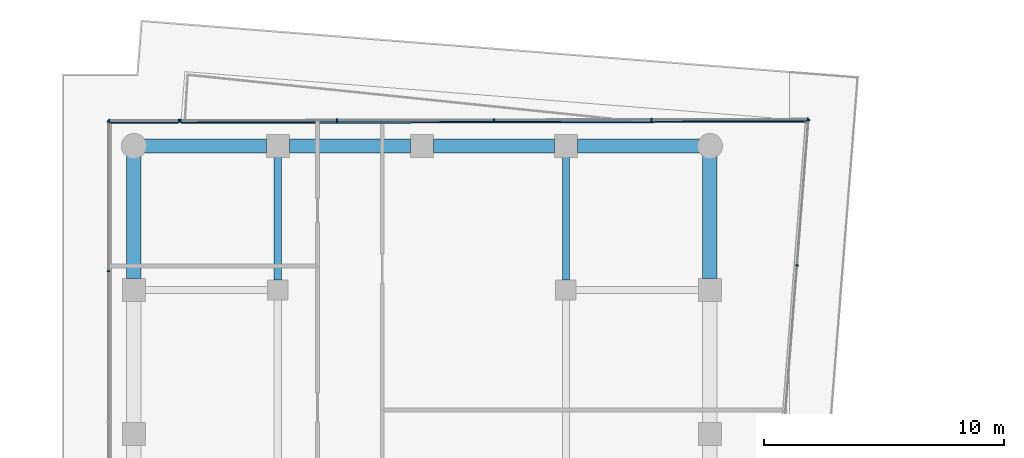
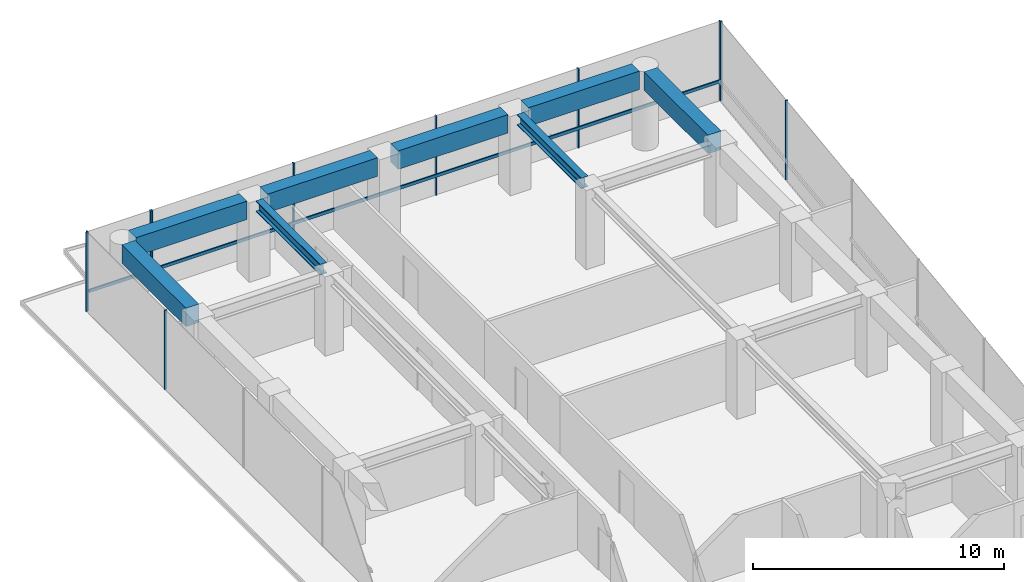
# One storey, part 21 of 29: 13 members, 8 beams, 4 elements without a shape of their own.
"""IFC4 building model written with IfcOpenShell, lengths in metres."""

from ifc_helpers import new_model, si_unit, direction, frame, origin, origin_2d, place, context, subcontext, project, spatial, rectangle, i_section, extrude, material, layer, layer_set, material_profile, profile_set, type_object, element, aggregate, save


model = new_model("IFC4")

# Units and contexts
model_context = context("Model", 3, precision=1e-05, world=origin(), true_north=direction((0.0, 1.0)))
body_context = subcontext(model_context, "Body", "Model", "MODEL_VIEW")
ifc_project = project(units=[si_unit("LENGTHUNIT", "METRE"), si_unit("AREAUNIT", "SQUARE_METRE"), si_unit("VOLUMEUNIT", "CUBIC_METRE"), si_unit("PLANEANGLEUNIT", "RADIAN"), si_unit("MASSUNIT", "GRAM", prefix="KILO")], contexts=[model_context])

# Site, building, storey
site_placement = place(None, origin())
site = spatial("IfcSite", under=ifc_project, at=site_placement, CompositionType="ELEMENT")
building_placement = place(site_placement, origin())
building = spatial("IfcBuilding", under=site, at=building_placement, Name="Welwitschia Terrace Campus", CompositionType="ELEMENT")
storey_placement = place(building_placement, frame((0.0, 0.0, 33.199951171875)))
storey = spatial("IfcBuildingStorey", under=building, at=storey_placement, Name="L07", CompositionType="ELEMENT", Elevation=33.199951171875)

# Beams
ifc_material_1 = material(Name="Steel S355", Category="steel")
ifc_material_profile_1 = material_profile(ifc_material_1, i_section(OverallWidth=0.305908203125, OverallDepth=0.52392578125, WebThickness=0.02099609375, FlangeThickness=0.0400390625, FilletRadius=0.027099609375, at=origin_2d()))
ifc_profile_set_1 = profile_set([ifc_material_profile_1], Name="Steel S355")
beam_type_1 = type_object("IfcBeamType", Name="Interior girder HE 500 M", PredefinedType="BEAM", material=ifc_profile_set_1)
for number, where, z_axis, x_axis, name in (
    (1, (6.0, 56.425537109375, 3.588134765625), (0.0, 1.0, 0.0), (-1.0, 0.0, 0.0), "Girder GB2"),
    (2, (18.0, 56.425537109375, 3.588134765625), (0.0, 1.0, 0.0), (-1.0, 0.0, 0.0), "Girder GB2"),
):
    element("IfcBeam", number, at=place(storey_placement, frame(where, z_axis=z_axis, x_axis=x_axis)), inside=storey, type_object=beam_type_1, Name=name, PredefinedType="BEAM", context=body_context, shape_type="SweptSolid", body=[
        extrude(i_section(OverallWidth=0.305908203125, OverallDepth=0.52392578125, WebThickness=0.02099609375, FlangeThickness=0.0400390625, FilletRadius=0.027099609375, at=origin_2d()), origin(), (0.0, 0.0, 1.0), 5.10888671875),
    ])

# Curtain wall, members
ifc_material_2 = material(Name="Bronze anodised aluminium", Category="aluminium")
ifc_layer = layer(ifc_material_2, 0.1201171875)
ifc_layer_set = layer_set([ifc_layer], Name="Bronze anodised aluminium")
curtain_wall_type = type_object("IfcCurtainWallType", Name="Curtain wall CW2 tower 6000", PredefinedType="NOTDEFINED", material=ifc_layer_set)
curtain_wall_1_placement = place(storey_placement, origin())
curtain_wall_1 = element("IfcCurtainWall", 3, at=curtain_wall_1_placement, inside=storey, type_object=curtain_wall_type, Name="CW L07.14.0", PredefinedType="NOTDEFINED")
ifc_material_3 = material(Name="Bronze anodised aluminium", Category="aluminium")
ifc_material_profile_2 = material_profile(ifc_material_3, rectangle(XDim=0.1201171875, YDim=0.06005859375, at=origin_2d()))
ifc_profile_set_2 = profile_set([ifc_material_profile_2], Name="Bronze anodised aluminium")
member_type_1 = type_object("IfcMemberType", Name="Mullion 60x120", PredefinedType="MULLION", material=ifc_profile_set_2)
member_1_placement = place(storey_placement, frame((27.6279296875, 57.02734375, 0.0), z_axis=(0.0, 0.0, 1.0), x_axis=(-0.996917333733, 0.078459095728, 0.0)))
member_1 = element("IfcMember", 4, at=member_1_placement, type_object=member_type_1, Name="Mullion L07.14.0.5", PredefinedType="MULLION", context=body_context, shape_type="SweptSolid", body=[
    extrude(rectangle(XDim=0.1201171875, YDim=0.06005859375, at=origin_2d()), origin(), (0.0, 0.0, 1.0), 3.85009765625),
])
member_2_placement = place(storey_placement, frame((28.1044921875, 63.08203125, 0.0), z_axis=(0.0, 0.0, 1.0), x_axis=(-0.996917333733, 0.078459095728, 0.0)))
member_2 = element("IfcMember", 5, at=member_2_placement, type_object=member_type_1, Name="Mullion L07.14.0.6", PredefinedType="MULLION", context=body_context, shape_type="SweptSolid", body=[
    extrude(rectangle(XDim=0.1201171875, YDim=0.06005859375, at=origin_2d()), origin(), (0.0, 0.0, 1.0), 3.85009765625),
])
aggregate(curtain_wall_1, [member_1, member_2])

curtain_wall_2_placement = place(storey_placement, origin())
curtain_wall_2 = element("IfcCurtainWall", 6, at=curtain_wall_2_placement, inside=storey, type_object=curtain_wall_type, Name="CW L07.15.0", PredefinedType="NOTDEFINED")
member_3_placement = place(storey_placement, frame((28.076904296875, 63.11181640625, 0.0), z_axis=(0.0, 0.0, 1.0), x_axis=(0.00205754776, -0.999997883246, 0.0)))
member_3 = element("IfcMember", 7, at=member_3_placement, type_object=member_type_1, Name="Mullion L07.15.0.0", PredefinedType="MULLION", context=body_context, shape_type="SweptSolid", body=[
    extrude(rectangle(XDim=0.1201171875, YDim=0.06005859375, at=origin_2d()), origin(), (0.0, 0.0, 1.0), 3.85009765625),
])
member_4_placement = place(storey_placement, frame((21.556640625, 63.098388671875, 0.0), z_axis=(0.0, 0.0, 1.0), x_axis=(0.00205754776, -0.999997883246, 0.0)))
member_4 = element("IfcMember", 8, at=member_4_placement, type_object=member_type_1, Name="Mullion L07.15.0.1", PredefinedType="MULLION", context=body_context, shape_type="SweptSolid", body=[
    extrude(rectangle(XDim=0.1201171875, YDim=0.06005859375, at=origin_2d()), origin(), (0.0, 0.0, 1.0), 3.85009765625),
])
member_5_placement = place(storey_placement, frame((15.00634765625, 63.0849609375, 0.0), z_axis=(0.0, 0.0, 1.0), x_axis=(0.00205754776, -0.999997883246, 0.0)))
member_5 = element("IfcMember", 9, at=member_5_placement, type_object=member_type_1, Name="Mullion L07.15.0.2", PredefinedType="MULLION", context=body_context, shape_type="SweptSolid", body=[
    extrude(rectangle(XDim=0.1201171875, YDim=0.06005859375, at=origin_2d()), origin(), (0.0, 0.0, 1.0), 3.85009765625),
])
member_6_placement = place(storey_placement, frame((8.4560546875, 63.071533203125, 0.0), z_axis=(0.0, 0.0, 1.0), x_axis=(0.00205754776, -0.999997883246, 0.0)))
member_6 = element("IfcMember", 10, at=member_6_placement, type_object=member_type_1, Name="Mullion L07.15.0.3", PredefinedType="MULLION", context=body_context, shape_type="SweptSolid", body=[
    extrude(rectangle(XDim=0.1201171875, YDim=0.06005859375, at=origin_2d()), origin(), (0.0, 0.0, 1.0), 3.85009765625),
])
member_7_placement = place(storey_placement, frame((1.935791015625, 63.05810546875, 0.0), z_axis=(0.0, 0.0, 1.0), x_axis=(0.00205754776, -0.999997883246, 0.0)))
member_7 = element("IfcMember", 11, at=member_7_placement, type_object=member_type_1, Name="Mullion L07.15.0.4", PredefinedType="MULLION", context=body_context, shape_type="SweptSolid", body=[
    extrude(rectangle(XDim=0.1201171875, YDim=0.06005859375, at=origin_2d()), origin(), (0.0, 0.0, 1.0), 3.85009765625),
])

curtain_wall_3_placement = place(storey_placement, origin())
curtain_wall_3 = element("IfcCurtainWall", 12, at=curtain_wall_3_placement, inside=storey, type_object=curtain_wall_type, Name="CW L07.16.0", PredefinedType="NOTDEFINED")
member_8_placement = place(storey_placement, frame((1.8759765625, 63.05810546875, 0.0), z_axis=(0.0, 0.0, 1.0), x_axis=(0.0, -1.0, 0.0)))
member_8 = element("IfcMember", 13, at=member_8_placement, type_object=member_type_1, Name="Mullion L07.16.0.0", PredefinedType="MULLION", context=body_context, shape_type="SweptSolid", body=[
    extrude(rectangle(XDim=0.1201171875, YDim=0.06005859375, at=origin_2d()), origin(), (0.0, 0.0, 1.0), 3.85009765625),
])
member_9_placement = place(storey_placement, frame((-1.028076171875, 63.05810546875, 0.0), z_axis=(0.0, 0.0, 1.0), x_axis=(0.0, -1.0, 0.0)))
member_9 = element("IfcMember", 14, at=member_9_placement, type_object=member_type_1, Name="Mullion L07.16.0.1", PredefinedType="MULLION", context=body_context, shape_type="SweptSolid", body=[
    extrude(rectangle(XDim=0.1201171875, YDim=0.06005859375, at=origin_2d()), origin(), (0.0, 0.0, 1.0), 3.85009765625),
])

curtain_wall_4_placement = place(storey_placement, origin())
curtain_wall_4 = element("IfcCurtainWall", 15, at=curtain_wall_4_placement, inside=storey, type_object=curtain_wall_type, Name="CW L07.17.0", PredefinedType="NOTDEFINED")
member_10_placement = place(storey_placement, frame((-1.05810546875, 63.028076171875, 0.0), z_axis=(0.0, 0.0, 1.0), x_axis=(1.0, 0.0, 0.0)))
member_10 = element("IfcMember", 16, at=member_10_placement, type_object=member_type_1, Name="Mullion L07.17.0.0", PredefinedType="MULLION", context=body_context, shape_type="SweptSolid", body=[
    extrude(rectangle(XDim=0.1201171875, YDim=0.06005859375, at=origin_2d()), origin(), (0.0, 0.0, 1.0), 3.85009765625),
])
member_11_placement = place(storey_placement, frame((-1.05810546875, 56.78125, 0.0), z_axis=(0.0, 0.0, 1.0), x_axis=(1.0, 0.0, 0.0)))
member_11 = element("IfcMember", 17, at=member_11_placement, type_object=member_type_1, Name="Mullion L07.17.0.1", PredefinedType="MULLION", context=body_context, shape_type="SweptSolid", body=[
    extrude(rectangle(XDim=0.1201171875, YDim=0.06005859375, at=origin_2d()), origin(), (0.0, 0.0, 1.0), 3.85009765625),
])
aggregate(curtain_wall_4, [member_10, member_11])

# Beams
ifc_material_4 = material(Name="Concrete C60/75", Category="concrete")
ifc_material_profile_3 = material_profile(ifc_material_4, rectangle(XDim=0.60009765625, YDim=0.89990234375, at=origin_2d()))
ifc_profile_set_3 = profile_set([ifc_material_profile_3], Name="Concrete C60/75")
beam_type_2 = type_object("IfcBeamType", Name="Ring spandrel 600x900", PredefinedType="SPANDREL", material=ifc_profile_set_3)
for number, where, z_axis, x_axis, name in (
    (18, (24.0, 56.4755859375, 3.400146484375), (0.0, 1.0, 0.0), (-1.0, 0.0, 0.0), "Spandrel SP2"),
    (19, (23.568603515625, 62.0, 3.400146484375), (-1.0, 0.0, 0.0), (0.0, -1.0, 0.0), "Spandrel SP2"),
):
    element("IfcBeam", number, at=place(storey_placement, frame(where, z_axis=z_axis, x_axis=x_axis)), inside=storey, type_object=beam_type_2, Name=name, PredefinedType="SPANDREL", context=body_context, shape_type="SweptSolid", body=[
        extrude(rectangle(XDim=0.60009765625, YDim=0.89990234375, at=origin_2d()), origin(), (0.0, 0.0, 1.0), 5.093017578125),
    ])
for number, where, z_axis, x_axis, name in (
    (20, (17.5244140625, 62.0, 3.400146484375), (-1.0, 0.0, 0.0), (0.0, -1.0, 0.0), "Spandrel SP2"),
    (21, (11.5244140625, 62.0, 3.400146484375), (-1.0, 0.0, 0.0), (0.0, -1.0, 0.0), "Spandrel SP2"),
):
    element("IfcBeam", number, at=place(storey_placement, frame(where, z_axis=z_axis, x_axis=x_axis)), inside=storey, type_object=beam_type_2, Name=name, PredefinedType="SPANDREL", context=body_context, shape_type="SweptSolid", body=[
        extrude(rectangle(XDim=0.60009765625, YDim=0.89990234375, at=origin_2d()), origin(), (0.0, 0.0, 1.0), 5.048828125),
    ])
for number, where, z_axis, x_axis, name in (
    (22, (5.5244140625, 62.0, 3.400146484375), (-1.0, 0.0, 0.0), (0.0, -1.0, 0.0), "Spandrel SP2"),
    (23, (0.0, 61.568603515625, 3.400146484375), (0.0, -1.0, 0.0), (1.0, 0.0, 0.0), "Spandrel SP2"),
):
    element("IfcBeam", number, at=place(storey_placement, frame(where, z_axis=z_axis, x_axis=x_axis)), inside=storey, type_object=beam_type_2, Name=name, PredefinedType="SPANDREL", context=body_context, shape_type="SweptSolid", body=[
        extrude(rectangle(XDim=0.60009765625, YDim=0.89990234375, at=origin_2d()), origin(), (0.0, 0.0, 1.0), 5.093017578125),
    ])

# Member
ifc_material_5 = material(Name="Bronze anodised aluminium", Category="aluminium")
ifc_material_profile_4 = material_profile(ifc_material_5, rectangle(XDim=0.06005859375, YDim=0.14990234375, at=origin_2d()))
ifc_profile_set_4 = profile_set([ifc_material_profile_4], Name="Bronze anodised aluminium")
member_type_2 = type_object("IfcMemberType", Name="Transom 60x150", PredefinedType="USERDEFINED", material=ifc_profile_set_4)
member_12_placement = place(storey_placement, frame((28.047119140625, 63.021728515625, 1.0), z_axis=(-0.999997879473, -0.002059380813, 0.0), x_axis=(0.002059380813, -0.999997879473, 0.0)))
member_12 = element("IfcMember", 24, at=member_12_placement, type_object=member_type_2, Name="Transom L07.15.0", ObjectType="TRANSOM", PredefinedType="USERDEFINED", context=body_context, shape_type="SweptSolid", body=[
    extrude(rectangle(XDim=0.06005859375, YDim=0.14990234375, at=origin_2d()), origin(), (0.0, 0.0, 1.0), 26.0810546875),
])

aggregate(curtain_wall_2, [member_3, member_4, member_5, member_6, member_7, member_12])

member_13_placement = place(storey_placement, frame((1.845947265625, 62.968017578125, 1.0), z_axis=(-1.0, 0.0, 0.0), x_axis=(0.0, -1.0, 0.0)))
member_13 = element("IfcMember", 25, at=member_13_placement, type_object=member_type_2, Name="Transom L07.16.0", ObjectType="TRANSOM", PredefinedType="USERDEFINED", context=body_context, shape_type="SweptSolid", body=[
    extrude(rectangle(XDim=0.06005859375, YDim=0.14990234375, at=origin_2d()), origin(), (0.0, 0.0, 1.0), 2.843994140625),
])

aggregate(curtain_wall_3, [member_8, member_9, member_13])

save(model, "model.ifc")
